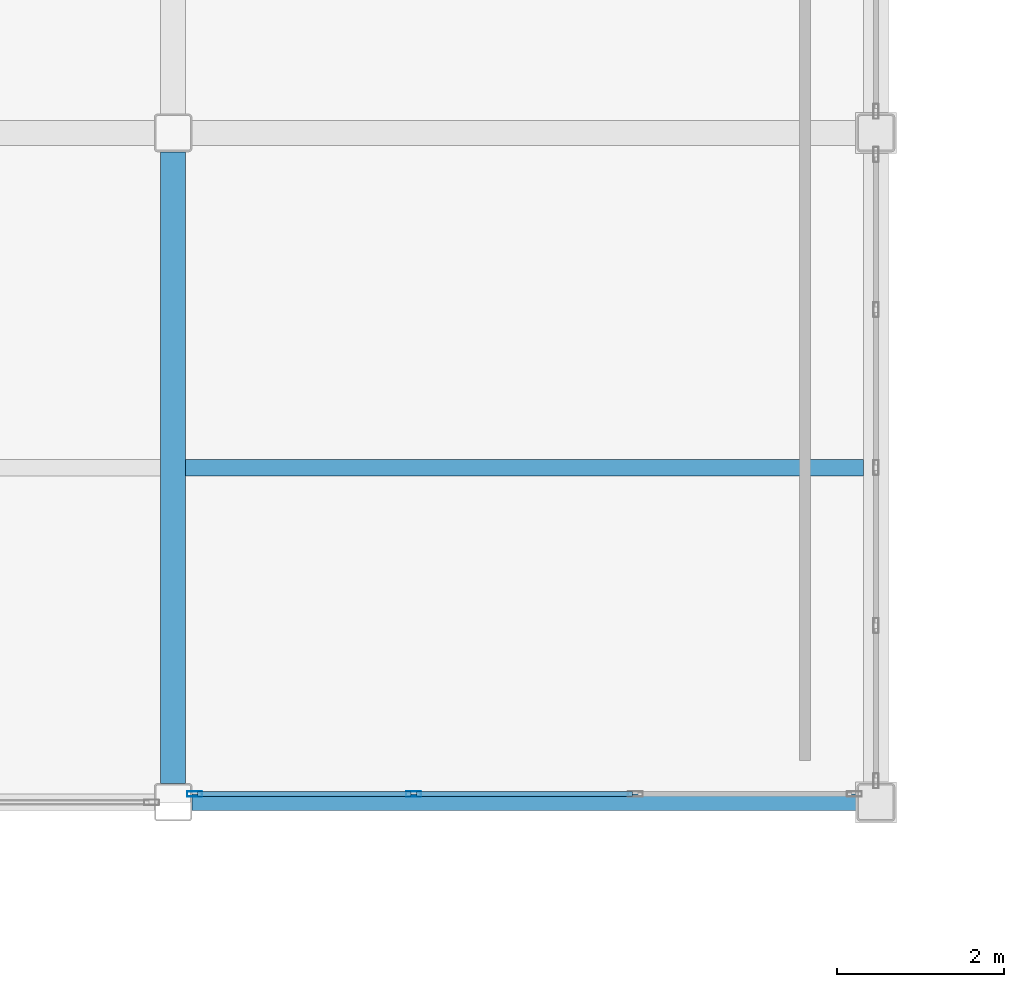
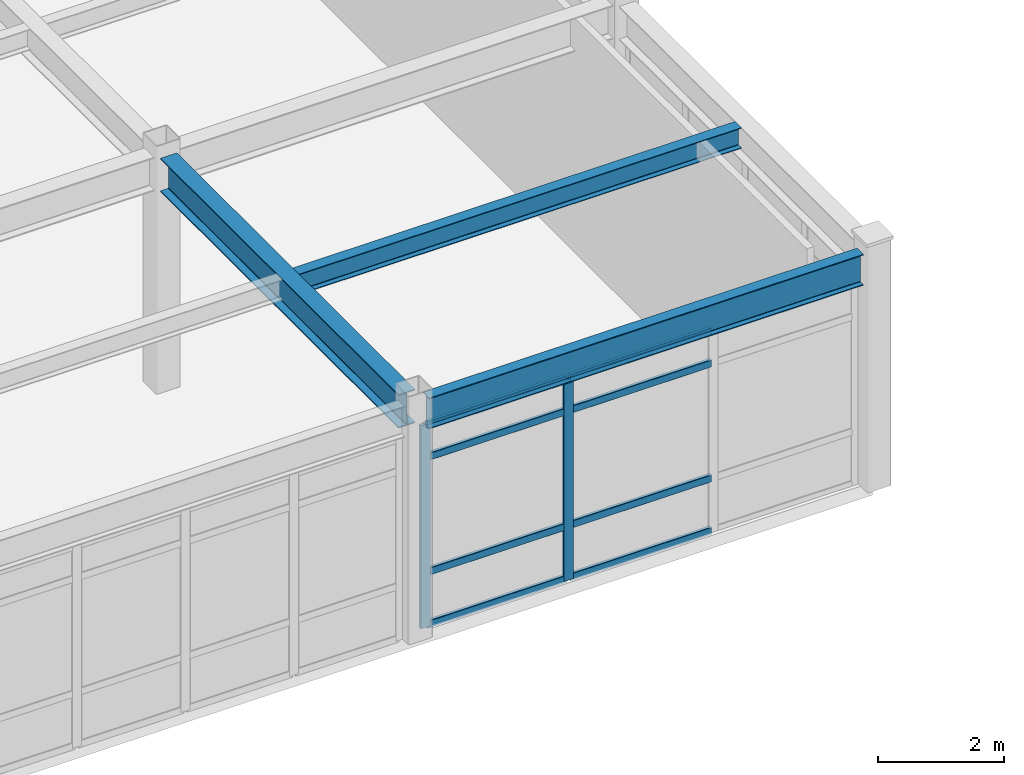
# One storey, part 81 of 172: 10 members, 3 beams, 1 element without a shape of its own.
"""IFC4 building model written with IfcOpenShell, lengths in metres."""

from ifc_helpers import new_model, si_unit, direction, frame, origin, origin_2d, place, context, subcontext, project, spatial, hollow_rectangle, i_section, extrude, material, layer, layer_set, material_profile, profile_set, type_object, element, aggregate, save


model = new_model("IFC4")

# Units and contexts
model_context = context("Model", 3, precision=1e-05, world=origin(), true_north=direction((0.0, 1.0)))
body_context = subcontext(model_context, "Body", "Model", "MODEL_VIEW")
ifc_project = project(units=[si_unit("LENGTHUNIT", "METRE"), si_unit("AREAUNIT", "SQUARE_METRE"), si_unit("VOLUMEUNIT", "CUBIC_METRE"), si_unit("PLANEANGLEUNIT", "RADIAN"), si_unit("MASSUNIT", "GRAM", prefix="KILO")], contexts=[model_context])

# Site, building, storey
site_placement = place(None, origin())
site = spatial("IfcSite", under=ifc_project, at=site_placement, CompositionType="ELEMENT")
building_placement = place(site_placement, origin())
building = spatial("IfcBuilding", under=site, at=building_placement, Name="Kazehara Bluff Congress Hotel", CompositionType="ELEMENT")
storey_placement = place(building_placement, frame((0.0, 0.0, 5.39990234375)))
storey = spatial("IfcBuildingStorey", under=building, at=storey_placement, Name="L01", CompositionType="ELEMENT", Elevation=5.39990234375)

# Curtain wall, members
ifc_material_1 = material(Name="Anodised aluminium", Category="aluminium")
ifc_layer = layer(ifc_material_1, 0.159912109375)
ifc_layer_set = layer_set([ifc_layer], Name="Anodised aluminium")
curtain_wall_type = type_object("IfcCurtainWallType", Name="TP-CW-37", PredefinedType="NOTDEFINED", material=ifc_layer_set)
curtain_wall_placement = place(storey_placement, origin())
curtain_wall = element("IfcCurtainWall", 1, at=curtain_wall_placement, inside=storey, type_object=curtain_wall_type, Name="L01 curtain wall CW-37 CW-ENC-V3-L01-9705-8100", PredefinedType="NOTDEFINED")
ifc_material_2 = material(Name="Anodised aluminium", Category="aluminium")
ifc_material_profile_1 = material_profile(ifc_material_2, hollow_rectangle(XDim=0.06494140625, YDim=0.179931640625, WallThickness=0.00390625, InnerFilletRadius=0.00390625, OuterFilletRadius=0.008056640625, at=origin_2d()))
ifc_profile_set_1 = profile_set([ifc_material_profile_1], Name="Anodised aluminium")
member_type_1 = type_object("IfcMemberType", Name="TP-CWM-02", PredefinedType="MULLION", material=ifc_profile_set_1)
member_1_placement = place(storey_placement, frame((95.72509765625, 81.0, 0.0), z_axis=(0.0, 0.0, 1.0), x_axis=(0.0, -1.0, 0.0)))
member_1 = element("IfcMember", 2, at=member_1_placement, type_object=member_type_1, Name="CW-37 mullion 3", PredefinedType="MULLION", context=body_context, shape_type="SweptSolid", body=[
    extrude(hollow_rectangle(XDim=0.06494140625, YDim=0.179931640625, WallThickness=0.00390625, InnerFilletRadius=0.00390625, OuterFilletRadius=0.008056640625, at=origin_2d()), origin(), (0.0, 0.0, 1.0), 3.925048828125),
])
member_2_placement = place(storey_placement, frame((93.107421875, 81.0, 0.0), z_axis=(0.0, 0.0, 1.0), x_axis=(0.0, -1.0, 0.0)))
member_2 = element("IfcMember", 3, at=member_2_placement, type_object=member_type_1, Name="CW-37 mullion 4", PredefinedType="MULLION", context=body_context, shape_type="SweptSolid", body=[
    extrude(hollow_rectangle(XDim=0.06494140625, YDim=0.179931640625, WallThickness=0.00390625, InnerFilletRadius=0.00390625, OuterFilletRadius=0.008056640625, at=origin_2d()), origin(), (0.0, 0.0, 1.0), 3.925048828125),
])
ifc_material_3 = material(Name="Anodised aluminium", Category="aluminium")
ifc_material_profile_2 = material_profile(ifc_material_3, hollow_rectangle(XDim=0.06494140625, YDim=0.139892578125, WallThickness=0.00390625, InnerFilletRadius=0.00390625, OuterFilletRadius=0.008056640625, at=origin_2d()))
ifc_profile_set_2 = profile_set([ifc_material_profile_2], Name="Anodised aluminium")
member_type_2 = type_object("IfcMemberType", Name="TP-CWT-02", PredefinedType="USERDEFINED", material=ifc_profile_set_2)
member_3_placement = place(storey_placement, frame((98.342529296875, 81.0, 0.03271484375), z_axis=(-1.0, 0.0, 0.0), x_axis=(0.0, -1.0, 0.0)))
member_3 = element("IfcMember", 4, at=member_3_placement, type_object=member_type_2, Name="CW-37 transom 2.1", ObjectType="TRANSOM", PredefinedType="USERDEFINED", context=body_context, shape_type="SweptSolid", body=[
    extrude(hollow_rectangle(XDim=0.06494140625, YDim=0.139892578125, WallThickness=0.00390625, InnerFilletRadius=0.00390625, OuterFilletRadius=0.008056640625, at=origin_2d()), origin(), (0.0, 0.0, 1.0), 2.5849609375),
])
member_4_placement = place(storey_placement, frame((98.342529296875, 81.0, 1.050048828125), z_axis=(-1.0, 0.0, 0.0), x_axis=(0.0, -1.0, 0.0)))
member_4 = element("IfcMember", 5, at=member_4_placement, type_object=member_type_2, Name="CW-37 transom 2.2", ObjectType="TRANSOM", PredefinedType="USERDEFINED", context=body_context, shape_type="SweptSolid", body=[
    extrude(hollow_rectangle(XDim=0.06494140625, YDim=0.139892578125, WallThickness=0.00390625, InnerFilletRadius=0.00390625, OuterFilletRadius=0.008056640625, at=origin_2d()), origin(), (0.0, 0.0, 1.0), 2.5849609375),
])
member_5_placement = place(storey_placement, frame((98.342529296875, 81.0, 3.275146484375), z_axis=(-1.0, 0.0, 0.0), x_axis=(0.0, -1.0, 0.0)))
member_5 = element("IfcMember", 6, at=member_5_placement, type_object=member_type_2, Name="CW-37 transom 2.3", ObjectType="TRANSOM", PredefinedType="USERDEFINED", context=body_context, shape_type="SweptSolid", body=[
    extrude(hollow_rectangle(XDim=0.06494140625, YDim=0.139892578125, WallThickness=0.00390625, InnerFilletRadius=0.00390625, OuterFilletRadius=0.008056640625, at=origin_2d()), origin(), (0.0, 0.0, 1.0), 2.5849609375),
])
member_6_placement = place(storey_placement, frame((98.342529296875, 81.0, 3.892578125), z_axis=(-1.0, 0.0, 0.0), x_axis=(0.0, -1.0, 0.0)))
member_6 = element("IfcMember", 7, at=member_6_placement, type_object=member_type_2, Name="CW-37 transom 2.4", ObjectType="TRANSOM", PredefinedType="USERDEFINED", context=body_context, shape_type="SweptSolid", body=[
    extrude(hollow_rectangle(XDim=0.06494140625, YDim=0.139892578125, WallThickness=0.00390625, InnerFilletRadius=0.00390625, OuterFilletRadius=0.008056640625, at=origin_2d()), origin(), (0.0, 0.0, 1.0), 2.5849609375),
])
member_7_placement = place(storey_placement, frame((95.6923828125, 81.0, 0.03271484375), z_axis=(-1.0, 0.0, 0.0), x_axis=(0.0, -1.0, 0.0)))
member_7 = element("IfcMember", 8, at=member_7_placement, type_object=member_type_2, Name="CW-37 transom 3.1", ObjectType="TRANSOM", PredefinedType="USERDEFINED", context=body_context, shape_type="SweptSolid", body=[
    extrude(hollow_rectangle(XDim=0.06494140625, YDim=0.139892578125, WallThickness=0.00390625, InnerFilletRadius=0.00390625, OuterFilletRadius=0.008056640625, at=origin_2d()), origin(), (0.0, 0.0, 1.0), 2.552490234375),
])
member_8_placement = place(storey_placement, frame((95.6923828125, 81.0, 1.050048828125), z_axis=(-1.0, 0.0, 0.0), x_axis=(0.0, -1.0, 0.0)))
member_8 = element("IfcMember", 9, at=member_8_placement, type_object=member_type_2, Name="CW-37 transom 3.2", ObjectType="TRANSOM", PredefinedType="USERDEFINED", context=body_context, shape_type="SweptSolid", body=[
    extrude(hollow_rectangle(XDim=0.06494140625, YDim=0.139892578125, WallThickness=0.00390625, InnerFilletRadius=0.00390625, OuterFilletRadius=0.008056640625, at=origin_2d()), origin(), (0.0, 0.0, 1.0), 2.552490234375),
])
member_9_placement = place(storey_placement, frame((95.6923828125, 81.0, 3.275146484375), z_axis=(-1.0, 0.0, 0.0), x_axis=(0.0, -1.0, 0.0)))
member_9 = element("IfcMember", 10, at=member_9_placement, type_object=member_type_2, Name="CW-37 transom 3.3", ObjectType="TRANSOM", PredefinedType="USERDEFINED", context=body_context, shape_type="SweptSolid", body=[
    extrude(hollow_rectangle(XDim=0.06494140625, YDim=0.139892578125, WallThickness=0.00390625, InnerFilletRadius=0.00390625, OuterFilletRadius=0.008056640625, at=origin_2d()), origin(), (0.0, 0.0, 1.0), 2.552490234375),
])
member_10_placement = place(storey_placement, frame((95.6923828125, 81.0, 3.892578125), z_axis=(-1.0, 0.0, 0.0), x_axis=(0.0, -1.0, 0.0)))
member_10 = element("IfcMember", 11, at=member_10_placement, type_object=member_type_2, Name="CW-37 transom 3.4", ObjectType="TRANSOM", PredefinedType="USERDEFINED", context=body_context, shape_type="SweptSolid", body=[
    extrude(hollow_rectangle(XDim=0.06494140625, YDim=0.139892578125, WallThickness=0.00390625, InnerFilletRadius=0.00390625, OuterFilletRadius=0.008056640625, at=origin_2d()), origin(), (0.0, 0.0, 1.0), 2.552490234375),
])
aggregate(curtain_wall, [member_1, member_2, member_3, member_4, member_5, member_6, member_7, member_8, member_9, member_10])

# Beams
ifc_material_4 = material(Name="Steel SN490B", Category="steel")
ifc_material_profile_3 = material_profile(ifc_material_4, i_section(OverallWidth=0.300048828125, OverallDepth=0.64990234375, WebThickness=0.011962890625, FlangeThickness=0.02001953125, FilletRadius=0.012939453125, at=origin_2d()))
ifc_profile_set_3 = profile_set([ifc_material_profile_3], Name="Steel SN490B")
beam_type_1 = type_object("IfcBeamType", Name="TP-G-03", PredefinedType="BEAM", material=ifc_profile_set_3)
beam_1_placement = place(storey_placement, frame((92.85009765625, 81.125, 4.22509765625), z_axis=(0.0, 1.0, 0.0), x_axis=(-1.0, 0.0, 0.0)))
element("IfcBeam", 12, at=beam_1_placement, inside=storey, type_object=beam_type_1, Name="L01 girder G-03 115", PredefinedType="BEAM", context=body_context, shape_type="SweptSolid", body=[
    extrude(i_section(OverallWidth=0.300048828125, OverallDepth=0.64990234375, WebThickness=0.011962890625, FlangeThickness=0.02001953125, FilletRadius=0.012939453125, at=origin_2d()), origin(), (0.0, 0.0, 1.0), 7.550048828125),
])
ifc_material_5 = material(Name="Steel SN400B", Category="steel")
ifc_material_profile_4 = material_profile(ifc_material_5, i_section(OverallWidth=0.199951171875, OverallDepth=0.39990234375, WebThickness=0.008056640625, FlangeThickness=0.012939453125, FilletRadius=0.012939453125, at=origin_2d()))
ifc_profile_set_4 = profile_set([ifc_material_profile_4], Name="Steel SN400B")
beam_type_2 = type_object("IfcBeamType", Name="TP-J-03", PredefinedType="JOIST", material=ifc_profile_set_4)
beam_2_placement = place(storey_placement, frame((93.0, 84.89990234375, 4.35009765625), z_axis=(1.0, 0.0, 0.0), x_axis=(0.0, 1.0, 0.0)))
element("IfcBeam", 13, at=beam_2_placement, inside=storey, type_object=beam_type_2, Name="L01 secondary joist J-03 29", PredefinedType="JOIST", context=body_context, shape_type="SweptSolid", body=[
    extrude(i_section(OverallWidth=0.199951171875, OverallDepth=0.39990234375, WebThickness=0.008056640625, FlangeThickness=0.012939453125, FilletRadius=0.012939453125, at=origin_2d()), origin(), (0.0, 0.0, 1.0), 8.10009765625),
])
ifc_material_6 = material(Name="Steel SN490B", Category="steel")
ifc_material_profile_5 = material_profile(ifc_material_6, i_section(OverallWidth=0.199951171875, OverallDepth=0.60009765625, WebThickness=0.010986328125, FlangeThickness=0.01708984375, FilletRadius=0.012939453125, at=origin_2d()))
ifc_profile_set_5 = profile_set([ifc_material_profile_5], Name="Steel SN490B")
beam_type_3 = type_object("IfcBeamType", Name="TP-SP-02", PredefinedType="SPANDREL", material=ifc_profile_set_5)
beam_3_placement = place(storey_placement, frame((93.074951171875, 80.89990234375, 4.25), z_axis=(1.0, 0.0, 0.0), x_axis=(0.0, 1.0, 0.0)))
element("IfcBeam", 14, at=beam_3_placement, inside=storey, type_object=beam_type_3, Name="L01 girder SP-02 127", PredefinedType="SPANDREL", context=body_context, shape_type="SweptSolid", body=[
    extrude(i_section(OverallWidth=0.199951171875, OverallDepth=0.60009765625, WebThickness=0.010986328125, FlangeThickness=0.01708984375, FilletRadius=0.012939453125, at=origin_2d()), origin(), (0.0, 0.0, 1.0), 7.949951171875),
])

save(model, "model.ifc")
